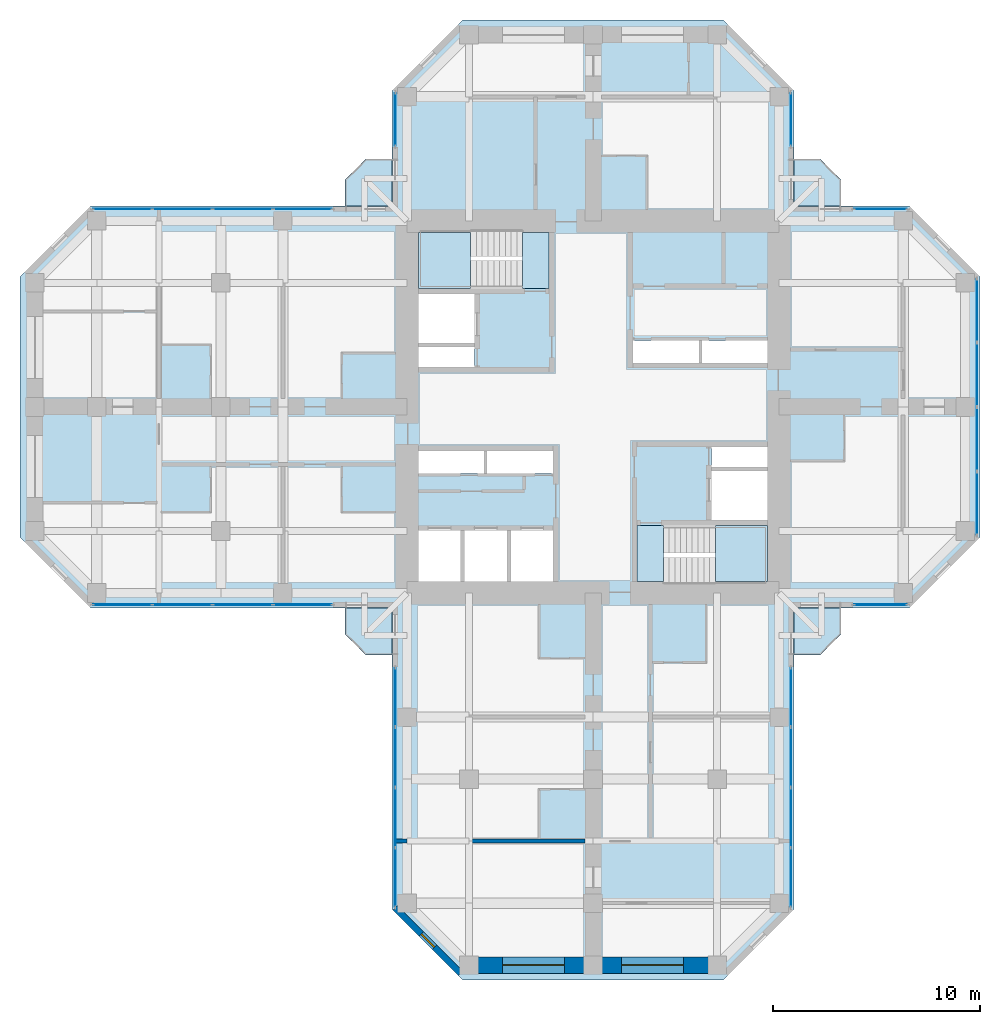
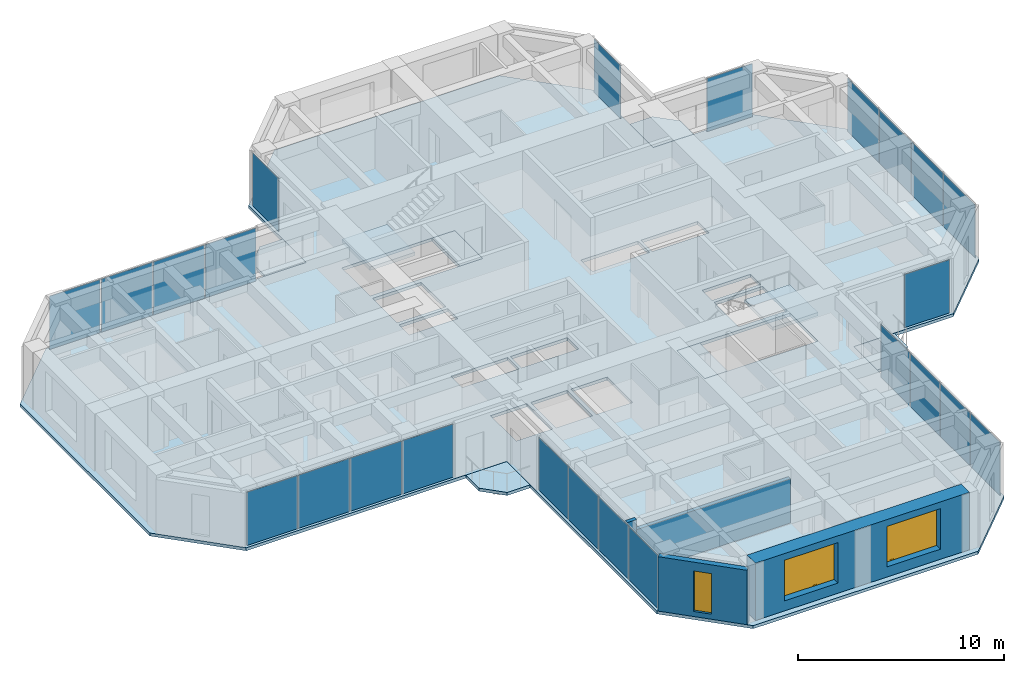
# One storey, part 7 of 13: 24 plates, 9 slabs, 4 walls, 3 windows, 3 openings, 11 elements without a shape of their own.
"""IFC4 building model written with IfcOpenShell, lengths in metres."""

from ifc_helpers import new_model, si_unit, direction, frame, frame_2d, origin, origin_2d, place, context, subcontext, project, spatial, polyline, rectangle, hollow_rectangle, outline, extrude, material, layer, layer_set, constituent, constituent_set, type_object, element, fill, aggregate, save


model = new_model("IFC4")

# Units and contexts
model_context = context("Model", 3, precision=1e-05, world=origin(), true_north=direction((0.0, 1.0)))
body_context = subcontext(model_context, "Body", "Model", "MODEL_VIEW")
ifc_project = project(units=[si_unit("LENGTHUNIT", "METRE"), si_unit("AREAUNIT", "SQUARE_METRE"), si_unit("VOLUMEUNIT", "CUBIC_METRE"), si_unit("PLANEANGLEUNIT", "RADIAN"), si_unit("MASSUNIT", "GRAM", prefix="KILO")], contexts=[model_context])

# Site, building, storey
site_placement = place(None, origin())
site = spatial("IfcSite", under=ifc_project, at=site_placement, CompositionType="ELEMENT")
building_placement = place(site_placement, origin())
building = spatial("IfcBuilding", under=site, at=building_placement, Name="Torre Cruceta", CompositionType="ELEMENT")
storey_placement = place(building_placement, frame((0.0, 0.0, 193.300048828125)))
storey = spatial("IfcBuildingStorey", under=building, at=storey_placement, Name="L48", CompositionType="ELEMENT", Elevation=193.300048828125)

# Slabs
ifc_material_1 = material(Name="Concrete G35 (fck 35 MPa)", Category="concrete")
ifc_layer_1 = layer(ifc_material_1, 0.179931640625)
ifc_layer_set_1 = layer_set([ifc_layer_1], Name="Concrete G35 (fck 35 MPa)")
slab_type_1 = type_object("IfcSlabType", Name="BALCONY SLAB 180", PredefinedType="USERDEFINED", material=ifc_layer_set_1)
slab_1_placement = place(storey_placement, frame((0.0, 0.0, -0.179931640625)))
element("IfcSlab", 1, at=slab_1_placement, inside=storey, type_object=slab_type_1, Name="Balcony slab L48 N", ObjectType="BALCONY", PredefinedType="USERDEFINED", context=body_context, shape_type="SweptSolid", body=[
    extrude(outline(polyline([(-12.0, 11.0), (-11.0, 12.0), (-9.719970703125, 12.0), (-9.719970703125, 9.719970703125), (-12.0, 9.719970703125), (-12.0, 11.0)])), origin(), (0.0, 0.0, 1.0), 0.179931640625),
])
slab_2_placement = place(storey_placement, frame((0.0, 0.0, -0.179931640625)))
element("IfcSlab", 2, at=slab_2_placement, inside=storey, type_object=slab_type_1, Name="Balcony slab L48 E", ObjectType="BALCONY", PredefinedType="USERDEFINED", context=body_context, shape_type="SweptSolid", body=[
    extrude(outline(polyline([(11.0, 12.0), (12.0, 11.0), (12.0, 9.719970703125), (9.719970703125, 9.719970703125), (9.719970703125, 12.0), (11.0, 12.0)])), origin(), (0.0, 0.0, 1.0), 0.179931640625),
])
slab_3_placement = place(storey_placement, frame((0.0, 0.0, -0.179931640625)))
element("IfcSlab", 3, at=slab_3_placement, inside=storey, type_object=slab_type_1, Name="Balcony slab L48 S", ObjectType="BALCONY", PredefinedType="USERDEFINED", context=body_context, shape_type="SweptSolid", body=[
    extrude(outline(polyline([(12.0, -11.0), (11.0, -12.0), (9.719970703125, -12.0), (9.719970703125, -9.719970703125), (12.0, -9.719970703125), (12.0, -11.0)])), origin(), (0.0, 0.0, 1.0), 0.179931640625),
])
slab_4_placement = place(storey_placement, frame((0.0, 0.0, -0.179931640625)))
element("IfcSlab", 4, at=slab_4_placement, inside=storey, type_object=slab_type_1, Name="Balcony slab L48 W", ObjectType="BALCONY", PredefinedType="USERDEFINED", context=body_context, shape_type="SweptSolid", body=[
    extrude(outline(polyline([(-11.0, -12.0), (-12.0, -11.0), (-12.0, -9.719970703125), (-9.719970703125, -9.719970703125), (-9.719970703125, -12.0), (-11.0, -12.0)])), origin(), (0.0, 0.0, 1.0), 0.179931640625),
])

# Curtain wall, plate
ifc_material_2 = material(Name="Aluminium unitised curtain wall", Category="aluminium")
curtain_wall_type = type_object("IfcCurtainWallType", Name="CURTAIN WALL CW-C CO-LIVING", PredefinedType="USERDEFINED", material=ifc_material_2)
curtain_wall_1_placement = place(storey_placement, origin())
curtain_wall_1 = element("IfcCurtainWall", 5, at=curtain_wall_1_placement, inside=storey, type_object=curtain_wall_type, Name="CW-C L48 E tip 02", ObjectType="UNITISED", PredefinedType="USERDEFINED")
ifc_material_3 = material(Name="Laminated insulating glass unit, low-iron clear", Category="glass")
ifc_material_4 = material(Name="Laminated insulating glass unit, diagonal frit 50 %", Category="glass")
ifc_layer_2 = layer(ifc_material_4, 0.030029296875)
ifc_layer_set_2 = layer_set([ifc_layer_2], Name="Laminated insulating glass unit, diagonal frit 50 %")
plate_type_1 = type_object("IfcPlateType", Name="CW-C OPERABLE VENT PANEL 30", PredefinedType="CURTAIN_PANEL", material=ifc_layer_set_2)
plate_1_placement = place(storey_placement, frame((18.570068359375, -1.55908203125, 0.010009765625), z_axis=(0.0, 0.0, 1.0), x_axis=(0.0, 1.0, 0.0)))
plate_1 = element("IfcPlate", 6, at=plate_1_placement, type_object=plate_type_1, material=ifc_material_3, Name="CW-C vent 2", PredefinedType="CURTAIN_PANEL", context=body_context, shape_type="SweptSolid", body=[
    extrude(rectangle(XDim=3.05810546875, YDim=0.030029296875, at=origin_2d()), origin(), (0.0, 0.0, 1.0), 3.14990234375),
])

curtain_wall_2_placement = place(storey_placement, origin())
curtain_wall_2 = element("IfcCurtainWall", 7, at=curtain_wall_2_placement, inside=storey, type_object=curtain_wall_type, Name="CW-C L48 W side 10", ObjectType="UNITISED", PredefinedType="USERDEFINED")
plate_2_placement = place(storey_placement, frame((-16.94482421875, 9.570068359375, 0.010009765625), z_axis=(0.0, 0.0, 1.0), x_axis=(-1.0, 0.0, 0.0)))
plate_2 = element("IfcPlate", 8, at=plate_2_placement, type_object=plate_type_1, material=ifc_material_3, Name="CW-C vent 2", PredefinedType="CURTAIN_PANEL", context=body_context, shape_type="SweptSolid", body=[
    extrude(rectangle(XDim=2.8564453125, YDim=0.030029296875, at=origin_2d()), origin(), (0.0, 0.0, 1.0), 3.14990234375),
])

curtain_wall_3_placement = place(storey_placement, origin())
curtain_wall_3 = element("IfcCurtainWall", 9, at=curtain_wall_3_placement, inside=storey, type_object=curtain_wall_type, Name="CW-C L48 W side 14", ObjectType="UNITISED", PredefinedType="USERDEFINED")
plate_3_placement = place(storey_placement, frame((-19.861328125, -9.570068359375, 0.010009765625), z_axis=(0.0, 0.0, 1.0), x_axis=(1.0, 0.0, 0.0)))
plate_3 = element("IfcPlate", 10, at=plate_3_placement, type_object=plate_type_1, material=ifc_material_3, Name="CW-C vent 2", PredefinedType="CURTAIN_PANEL", context=body_context, shape_type="SweptSolid", body=[
    extrude(rectangle(XDim=2.8564453125, YDim=0.030029296875, at=origin_2d()), origin(), (0.0, 0.0, 1.0), 3.14990234375),
])

curtain_wall_4_placement = place(storey_placement, origin())
curtain_wall_4 = element("IfcCurtainWall", 11, at=curtain_wall_4_placement, inside=storey, type_object=curtain_wall_type, Name="CW-C L48 S side 15", ObjectType="UNITISED", PredefinedType="USERDEFINED")
plate_4_placement = place(storey_placement, frame((-9.570068359375, -16.94482421875, 0.010009765625), z_axis=(0.0, 0.0, 1.0), x_axis=(0.0, -1.0, 0.0)))
plate_4 = element("IfcPlate", 12, at=plate_4_placement, type_object=plate_type_1, material=ifc_material_3, Name="CW-C vent 2", PredefinedType="CURTAIN_PANEL", context=body_context, shape_type="SweptSolid", body=[
    extrude(rectangle(XDim=2.8564453125, YDim=0.030029296875, at=origin_2d()), origin(), (0.0, 0.0, 1.0), 3.14990234375),
])

curtain_wall_5_placement = place(storey_placement, origin())
curtain_wall_5 = element("IfcCurtainWall", 13, at=curtain_wall_5_placement, inside=storey, type_object=curtain_wall_type, Name="CW-C L48 S side 19", ObjectType="UNITISED", PredefinedType="USERDEFINED")
plate_5_placement = place(storey_placement, frame((9.570068359375, -19.861328125, 0.010009765625), z_axis=(0.0, 0.0, 1.0), x_axis=(0.0, 1.0, 0.0)))
plate_5 = element("IfcPlate", 14, at=plate_5_placement, type_object=plate_type_1, material=ifc_material_3, Name="CW-C vent 2", PredefinedType="CURTAIN_PANEL", context=body_context, shape_type="SweptSolid", body=[
    extrude(rectangle(XDim=2.8564453125, YDim=0.030029296875, at=origin_2d()), origin(), (0.0, 0.0, 1.0), 3.14990234375),
])

curtain_wall_6_placement = place(storey_placement, origin())
curtain_wall_6 = element("IfcCurtainWall", 15, at=curtain_wall_6_placement, inside=storey, type_object=curtain_wall_type, Name="CW-C L48 E side 00", ObjectType="UNITISED", PredefinedType="USERDEFINED")
ifc_material_5 = material(Name="Laminated insulating glass unit, diagonal frit 50 %", Category="glass")
ifc_layer_3 = layer(ifc_material_5, 0.030029296875)
ifc_layer_set_3 = layer_set([ifc_layer_3], Name="Laminated insulating glass unit, diagonal frit 50 %")
plate_type_2 = type_object("IfcPlateType", Name="CW-C PANEL 30", PredefinedType="CURTAIN_PANEL", material=ifc_layer_set_3)
plate_6_placement = place(storey_placement, frame((13.903076171875, -9.570068359375, 0.010009765625), z_axis=(0.0, 0.0, 1.0), x_axis=(1.0, 0.0, 0.0)))
plate_6 = element("IfcPlate", 16, at=plate_6_placement, type_object=plate_type_2, material=ifc_material_3, Name="CW-C panel 1", PredefinedType="CURTAIN_PANEL", context=body_context, shape_type="SweptSolid", body=[
    extrude(rectangle(XDim=2.546142578125, YDim=0.030029296875, at=origin_2d()), origin(), (0.0, 0.0, 1.0), 3.14990234375),
])
aggregate(curtain_wall_6, [plate_6])

# Plate
plate_7_placement = place(storey_placement, frame((18.570068359375, -4.662109375, 0.010009765625), z_axis=(0.0, 0.0, 1.0), x_axis=(0.0, 1.0, 0.0)))
plate_7 = element("IfcPlate", 17, at=plate_7_placement, type_object=plate_type_2, material=ifc_material_3, Name="CW-C panel 1", PredefinedType="CURTAIN_PANEL", context=body_context, shape_type="SweptSolid", body=[
    extrude(rectangle(XDim=3.028076171875, YDim=0.030029296875, at=origin_2d()), origin(), (0.0, 0.0, 1.0), 3.14990234375),
])

ifc_material_6 = material(Name="Laminated insulating glass unit, diagonal frit 50 %", Category="glass")
plate_8_placement = place(storey_placement, frame((18.570068359375, 1.55908203125, 0.010009765625), z_axis=(0.0, 0.0, 1.0), x_axis=(0.0, 1.0, 0.0)))
plate_8 = element("IfcPlate", 18, at=plate_8_placement, type_object=plate_type_2, material=ifc_material_6, Name="CW-C panel 3", PredefinedType="CURTAIN_PANEL", context=body_context, shape_type="SweptSolid", body=[
    extrude(rectangle(XDim=3.05810546875, YDim=0.030029296875, at=origin_2d()), origin(), (0.0, 0.0, 1.0), 3.14990234375),
])

plate_9_placement = place(storey_placement, frame((18.570068359375, 4.662109375, 0.010009765625), z_axis=(0.0, 0.0, 1.0), x_axis=(0.0, 1.0, 0.0)))
plate_9 = element("IfcPlate", 19, at=plate_9_placement, type_object=plate_type_2, material=ifc_material_6, Name="CW-C panel 4", PredefinedType="CURTAIN_PANEL", context=body_context, shape_type="SweptSolid", body=[
    extrude(rectangle(XDim=3.028076171875, YDim=0.030029296875, at=origin_2d()), origin(), (0.0, 0.0, 1.0), 3.14990234375),
])

aggregate(curtain_wall_1, [plate_7, plate_1, plate_8, plate_9])

# Curtain wall, plate
curtain_wall_7_placement = place(storey_placement, origin())
curtain_wall_7 = element("IfcCurtainWall", 20, at=curtain_wall_7_placement, inside=storey, type_object=curtain_wall_type, Name="CW-C L48 E side 04", ObjectType="UNITISED", PredefinedType="USERDEFINED")
plate_10_placement = place(storey_placement, frame((13.903076171875, 9.570068359375, 0.010009765625), z_axis=(0.0, 0.0, 1.0), x_axis=(-1.0, 0.0, 0.0)))
plate_10 = element("IfcPlate", 21, at=plate_10_placement, type_object=plate_type_2, material=ifc_material_3, Name="CW-C panel 1", PredefinedType="CURTAIN_PANEL", context=body_context, shape_type="SweptSolid", body=[
    extrude(rectangle(XDim=2.546142578125, YDim=0.030029296875, at=origin_2d()), origin(), (0.0, 0.0, 1.0), 3.14990234375),
])
aggregate(curtain_wall_7, [plate_10])

curtain_wall_8_placement = place(storey_placement, origin())
curtain_wall_8 = element("IfcCurtainWall", 22, at=curtain_wall_8_placement, inside=storey, type_object=curtain_wall_type, Name="CW-C L48 N side 05", ObjectType="UNITISED", PredefinedType="USERDEFINED")
plate_11_placement = place(storey_placement, frame((9.570068359375, 13.903076171875, 0.010009765625), z_axis=(0.0, 0.0, 1.0), x_axis=(0.0, 1.0, 0.0)))
plate_11 = element("IfcPlate", 23, at=plate_11_placement, type_object=plate_type_2, material=ifc_material_3, Name="CW-C panel 1", PredefinedType="CURTAIN_PANEL", context=body_context, shape_type="SweptSolid", body=[
    extrude(rectangle(XDim=2.546142578125, YDim=0.030029296875, at=origin_2d()), origin(), (0.0, 0.0, 1.0), 3.14990234375),
])
aggregate(curtain_wall_8, [plate_11])

curtain_wall_9_placement = place(storey_placement, origin())
curtain_wall_9 = element("IfcCurtainWall", 24, at=curtain_wall_9_placement, inside=storey, type_object=curtain_wall_type, Name="CW-C L48 N side 09", ObjectType="UNITISED", PredefinedType="USERDEFINED")
plate_12_placement = place(storey_placement, frame((-9.570068359375, 13.903076171875, 0.010009765625), z_axis=(0.0, 0.0, 1.0), x_axis=(0.0, -1.0, 0.0)))
plate_12 = element("IfcPlate", 25, at=plate_12_placement, type_object=plate_type_2, material=ifc_material_3, Name="CW-C panel 1", PredefinedType="CURTAIN_PANEL", context=body_context, shape_type="SweptSolid", body=[
    extrude(rectangle(XDim=2.546142578125, YDim=0.030029296875, at=origin_2d()), origin(), (0.0, 0.0, 1.0), 3.14990234375),
])
aggregate(curtain_wall_9, [plate_12])

# Plate
plate_13_placement = place(storey_placement, frame((-14.043212890625, 9.570068359375, 0.010009765625), z_axis=(0.0, 0.0, 1.0), x_axis=(-1.0, 0.0, 0.0)))
plate_13 = element("IfcPlate", 26, at=plate_13_placement, type_object=plate_type_2, material=ifc_material_3, Name="CW-C panel 1", PredefinedType="CURTAIN_PANEL", context=body_context, shape_type="SweptSolid", body=[
    extrude(rectangle(XDim=2.826416015625, YDim=0.030029296875, at=origin_2d()), origin(), (0.0, 0.0, 1.0), 3.14990234375),
])

plate_14_placement = place(storey_placement, frame((-19.861328125, 9.570068359375, 0.010009765625), z_axis=(0.0, 0.0, 1.0), x_axis=(-1.0, 0.0, 0.0)))
plate_14 = element("IfcPlate", 27, at=plate_14_placement, type_object=plate_type_2, material=ifc_material_6, Name="CW-C panel 3", PredefinedType="CURTAIN_PANEL", context=body_context, shape_type="SweptSolid", body=[
    extrude(rectangle(XDim=2.8564453125, YDim=0.030029296875, at=origin_2d()), origin(), (0.0, 0.0, 1.0), 3.14990234375),
])

plate_15_placement = place(storey_placement, frame((-22.762939453125, 9.570068359375, 0.010009765625), z_axis=(0.0, 0.0, 1.0), x_axis=(-1.0, 0.0, 0.0)))
plate_15 = element("IfcPlate", 28, at=plate_15_placement, type_object=plate_type_2, material=ifc_material_6, Name="CW-C panel 4", PredefinedType="CURTAIN_PANEL", context=body_context, shape_type="SweptSolid", body=[
    extrude(rectangle(XDim=2.826416015625, YDim=0.030029296875, at=origin_2d()), origin(), (0.0, 0.0, 1.0), 3.14990234375),
])

aggregate(curtain_wall_2, [plate_13, plate_2, plate_14, plate_15])

plate_16_placement = place(storey_placement, frame((-22.762939453125, -9.570068359375, 0.010009765625), z_axis=(0.0, 0.0, 1.0), x_axis=(1.0, 0.0, 0.0)))
plate_16 = element("IfcPlate", 29, at=plate_16_placement, type_object=plate_type_2, material=ifc_material_3, Name="CW-C panel 1", PredefinedType="CURTAIN_PANEL", context=body_context, shape_type="SweptSolid", body=[
    extrude(rectangle(XDim=2.826416015625, YDim=0.030029296875, at=origin_2d()), origin(), (0.0, 0.0, 1.0), 3.14990234375),
])

plate_17_placement = place(storey_placement, frame((-16.94482421875, -9.570068359375, 0.010009765625), z_axis=(0.0, 0.0, 1.0), x_axis=(1.0, 0.0, 0.0)))
plate_17 = element("IfcPlate", 30, at=plate_17_placement, type_object=plate_type_2, material=ifc_material_6, Name="CW-C panel 3", PredefinedType="CURTAIN_PANEL", context=body_context, shape_type="SweptSolid", body=[
    extrude(rectangle(XDim=2.8564453125, YDim=0.030029296875, at=origin_2d()), origin(), (0.0, 0.0, 1.0), 3.14990234375),
])

plate_18_placement = place(storey_placement, frame((-14.043212890625, -9.570068359375, 0.010009765625), z_axis=(0.0, 0.0, 1.0), x_axis=(1.0, 0.0, 0.0)))
plate_18 = element("IfcPlate", 31, at=plate_18_placement, type_object=plate_type_2, material=ifc_material_6, Name="CW-C panel 4", PredefinedType="CURTAIN_PANEL", context=body_context, shape_type="SweptSolid", body=[
    extrude(rectangle(XDim=2.826416015625, YDim=0.030029296875, at=origin_2d()), origin(), (0.0, 0.0, 1.0), 3.14990234375),
])

aggregate(curtain_wall_3, [plate_16, plate_3, plate_17, plate_18])

plate_19_placement = place(storey_placement, frame((-9.570068359375, -14.043212890625, 0.010009765625), z_axis=(0.0, 0.0, 1.0), x_axis=(0.0, -1.0, 0.0)))
plate_19 = element("IfcPlate", 32, at=plate_19_placement, type_object=plate_type_2, material=ifc_material_3, Name="CW-C panel 1", PredefinedType="CURTAIN_PANEL", context=body_context, shape_type="SweptSolid", body=[
    extrude(rectangle(XDim=2.826416015625, YDim=0.030029296875, at=origin_2d()), origin(), (0.0, 0.0, 1.0), 3.14990234375),
])

plate_20_placement = place(storey_placement, frame((-9.570068359375, -19.861328125, 0.010009765625), z_axis=(0.0, 0.0, 1.0), x_axis=(0.0, -1.0, 0.0)))
plate_20 = element("IfcPlate", 33, at=plate_20_placement, type_object=plate_type_2, material=ifc_material_6, Name="CW-C panel 3", PredefinedType="CURTAIN_PANEL", context=body_context, shape_type="SweptSolid", body=[
    extrude(rectangle(XDim=2.8564453125, YDim=0.030029296875, at=origin_2d()), origin(), (0.0, 0.0, 1.0), 3.14990234375),
])

plate_21_placement = place(storey_placement, frame((-9.570068359375, -22.762939453125, 0.010009765625), z_axis=(0.0, 0.0, 1.0), x_axis=(0.0, -1.0, 0.0)))
plate_21 = element("IfcPlate", 34, at=plate_21_placement, type_object=plate_type_2, material=ifc_material_6, Name="CW-C panel 4", PredefinedType="CURTAIN_PANEL", context=body_context, shape_type="SweptSolid", body=[
    extrude(rectangle(XDim=2.826416015625, YDim=0.030029296875, at=origin_2d()), origin(), (0.0, 0.0, 1.0), 3.14990234375),
])

aggregate(curtain_wall_4, [plate_19, plate_4, plate_20, plate_21])

plate_22_placement = place(storey_placement, frame((9.570068359375, -22.762939453125, 0.010009765625), z_axis=(0.0, 0.0, 1.0), x_axis=(0.0, 1.0, 0.0)))
plate_22 = element("IfcPlate", 35, at=plate_22_placement, type_object=plate_type_2, material=ifc_material_3, Name="CW-C panel 1", PredefinedType="CURTAIN_PANEL", context=body_context, shape_type="SweptSolid", body=[
    extrude(rectangle(XDim=2.826416015625, YDim=0.030029296875, at=origin_2d()), origin(), (0.0, 0.0, 1.0), 3.14990234375),
])

plate_23_placement = place(storey_placement, frame((9.570068359375, -16.94482421875, 0.010009765625), z_axis=(0.0, 0.0, 1.0), x_axis=(0.0, 1.0, 0.0)))
plate_23 = element("IfcPlate", 36, at=plate_23_placement, type_object=plate_type_2, material=ifc_material_6, Name="CW-C panel 3", PredefinedType="CURTAIN_PANEL", context=body_context, shape_type="SweptSolid", body=[
    extrude(rectangle(XDim=2.8564453125, YDim=0.030029296875, at=origin_2d()), origin(), (0.0, 0.0, 1.0), 3.14990234375),
])

plate_24_placement = place(storey_placement, frame((9.570068359375, -14.043212890625, 0.010009765625), z_axis=(0.0, 0.0, 1.0), x_axis=(0.0, 1.0, 0.0)))
plate_24 = element("IfcPlate", 37, at=plate_24_placement, type_object=plate_type_2, material=ifc_material_6, Name="CW-C panel 4", PredefinedType="CURTAIN_PANEL", context=body_context, shape_type="SweptSolid", body=[
    extrude(rectangle(XDim=2.826416015625, YDim=0.030029296875, at=origin_2d()), origin(), (0.0, 0.0, 1.0), 3.14990234375),
])

aggregate(curtain_wall_5, [plate_22, plate_5, plate_23, plate_24])

# Slab
ifc_material_7 = material(Name="Concrete G35 (fck 35 MPa)", Category="concrete")
ifc_layer_4 = layer(ifc_material_7, 0.179931640625)
ifc_layer_set_4 = layer_set([ifc_layer_4], Name="Concrete G35 (fck 35 MPa)")
slab_type_2 = type_object("IfcSlabType", Name="FLOOR SLAB 180", PredefinedType="FLOOR", material=ifc_layer_set_4)
slab_5_placement = place(storey_placement, frame((0.0, 0.0, -0.179931640625)))
element("IfcSlab", 38, at=slab_5_placement, inside=storey, type_object=slab_type_2, Name="Floor Slab L48", PredefinedType="FLOOR", context=body_context, shape_type="SweptSolid", body=[
    extrude(outline(polyline([(9.719970703125, -9.719970703125), (9.719970703125, -24.29833984375), (6.29833984375, -27.719970703125), (-6.29833984375, -27.719970703125), (-9.719970703125, -24.29833984375), (-9.719970703125, -9.719970703125), (-24.29833984375, -9.719970703125), (-27.719970703125, -6.29833984375), (-27.719970703125, 6.29833984375), (-24.29833984375, 9.719970703125), (-9.719970703125, 9.719970703125), (-9.719970703125, 15.29833984375), (-6.29833984375, 18.719970703125), (6.29833984375, 18.719970703125), (9.719970703125, 15.29833984375), (9.719970703125, 9.719970703125), (15.29833984375, 9.719970703125), (18.719970703125, 6.29833984375), (18.719970703125, -6.29833984375), (15.29833984375, -9.719970703125), (9.719970703125, -9.719970703125)]), holes=[polyline([(1.925048828125, 2.125), (5.125, 2.125), (5.125, 3.22509765625), (1.925048828125, 3.22509765625), (1.925048828125, 2.125)]), polyline([(5.27490234375, 2.125), (8.449951171875, 2.125), (8.449951171875, 3.22509765625), (5.27490234375, 3.22509765625), (5.27490234375, 2.125)]), polyline([(-8.449951171875, 3.10009765625), (-5.72509765625, 3.10009765625), (-5.72509765625, 5.47509765625), (-8.449951171875, 5.47509765625), (-8.449951171875, 3.10009765625)]), polyline([(-8.449951171875, 1.925048828125), (-5.72509765625, 1.925048828125), (-5.72509765625, 2.89990234375), (-8.449951171875, 2.89990234375), (-8.449951171875, 1.925048828125)]), polyline([(-3.966552734375, -8.449951171875), (-1.925048828125, -8.449951171875), (-1.925048828125, -5.97509765625), (-3.966552734375, -5.97509765625), (-3.966552734375, -8.449951171875)]), polyline([(-6.208251953125, -8.449951171875), (-4.166748046875, -8.449951171875), (-4.166748046875, -5.97509765625), (-6.208251953125, -5.97509765625), (-6.208251953125, -8.449951171875)]), polyline([(-8.449951171875, -8.449951171875), (-6.408447265625, -8.449951171875), (-6.408447265625, -5.97509765625), (-8.449951171875, -5.97509765625), (-8.449951171875, -8.449951171875)]), polyline([(-5.125, -3.22509765625), (-1.925048828125, -3.22509765625), (-1.925048828125, -2.125), (-5.125, -2.125), (-5.125, -3.22509765625)]), polyline([(-8.449951171875, -3.22509765625), (-5.27490234375, -3.22509765625), (-5.27490234375, -2.125), (-8.449951171875, -2.125), (-8.449951171875, -3.22509765625)]), polyline([(5.72509765625, -5.47509765625), (8.449951171875, -5.47509765625), (8.449951171875, -3.10009765625), (5.72509765625, -3.10009765625), (5.72509765625, -5.47509765625)]), polyline([(5.72509765625, -2.89990234375), (8.449951171875, -2.89990234375), (8.449951171875, -1.925048828125), (5.72509765625, -1.925048828125), (5.72509765625, -2.89990234375)]), polyline([(-8.449951171875, 5.72509765625), (-8.449951171875, 8.449951171875), (-3.39990234375, 8.449951171875), (-2.125, 8.449951171875), (-2.125, 5.72509765625), (-3.39990234375, 5.72509765625), (-8.449951171875, 5.72509765625)]), polyline([(2.125, -5.72509765625), (3.39990234375, -5.72509765625), (8.449951171875, -5.72509765625), (8.449951171875, -8.449951171875), (3.39990234375, -8.449951171875), (2.125, -8.449951171875), (2.125, -5.72509765625)])]), origin(), (0.0, 0.0, 1.0), 0.179931640625),
])

# Stair, slab
ifc_material_8 = material(Name="Concrete G30 (fck 30 MPa)", Category="concrete")
stair_type = type_object("IfcStairType", Name="STAIR HALF-TURN 1300", PredefinedType="HALF_TURN_STAIR", material=ifc_material_8)
stair_1_placement = place(storey_placement, origin())
stair_1 = element("IfcStair", 39, at=stair_1_placement, inside=storey, type_object=stair_type, Name="Stair ST1 L48", PredefinedType="HALF_TURN_STAIR")
ifc_material_9 = material(Name="Concrete G30 (fck 30 MPa)", Category="concrete")
ifc_layer_5 = layer(ifc_material_9, 0.199951171875)
ifc_layer_set_5 = layer_set([ifc_layer_5], Name="Concrete G30 (fck 30 MPa)")
slab_type_3 = type_object("IfcSlabType", Name="STAIR LANDING 200", PredefinedType="LANDING", material=ifc_layer_set_5)
slab_6_placement = place(storey_placement, frame((0.0, 0.0, 1.5)))
slab_6 = element("IfcSlab", 40, at=slab_6_placement, type_object=slab_type_3, Name="ST1 landing 1", PredefinedType="LANDING", context=body_context, shape_type="SweptSolid", body=[
    extrude(outline(polyline([(-8.449951171875, 5.72509765625), (-5.919921875, 5.72509765625), (-5.919921875, 8.449951171875), (-8.449951171875, 8.449951171875), (-8.449951171875, 5.72509765625)])), origin(), (0.0, 0.0, 1.0), 0.199951171875),
])
aggregate(stair_1, [slab_6])

stair_2_placement = place(storey_placement, origin())
stair_2 = element("IfcStair", 41, at=stair_2_placement, inside=storey, type_object=stair_type, Name="Stair ST2 L48", PredefinedType="HALF_TURN_STAIR")
slab_7_placement = place(storey_placement, frame((0.0, 0.0, 1.5)))
slab_7 = element("IfcSlab", 42, at=slab_7_placement, type_object=slab_type_3, Name="ST2 landing 1", PredefinedType="LANDING", context=body_context, shape_type="SweptSolid", body=[
    extrude(outline(polyline([(5.919921875, -8.449951171875), (8.449951171875, -8.449951171875), (8.449951171875, -5.72509765625), (5.919921875, -5.72509765625), (5.919921875, -8.449951171875)])), origin(), (0.0, 0.0, 1.0), 0.199951171875),
])
aggregate(stair_2, [slab_7])

# Slabs
slab_8_placement = place(storey_placement, frame((0.0, 0.0, -0.199951171875)))
element("IfcSlab", 43, at=slab_8_placement, inside=storey, type_object=slab_type_3, Name="Stair ST1 floor landing L48", PredefinedType="LANDING", context=body_context, shape_type="SweptSolid", body=[
    extrude(outline(polyline([(-2.125, 8.449951171875), (-2.125, 5.72509765625), (-3.39990234375, 5.72509765625), (-3.39990234375, 8.449951171875), (-2.125, 8.449951171875)])), origin(), (0.0, 0.0, 1.0), 0.199951171875),
])
slab_9_placement = place(storey_placement, frame((0.0, 0.0, -0.199951171875)))
element("IfcSlab", 44, at=slab_9_placement, inside=storey, type_object=slab_type_3, Name="Stair ST2 floor landing L48", PredefinedType="LANDING", context=body_context, shape_type="SweptSolid", body=[
    extrude(outline(polyline([(2.125, -8.449951171875), (2.125, -5.72509765625), (3.39990234375, -5.72509765625), (3.39990234375, -8.449951171875), (2.125, -8.449951171875)])), origin(), (0.0, 0.0, 1.0), 0.199951171875),
])

# Wall, opening, window
ifc_material_10 = material(Name="Concrete G30 (fck 30 MPa)", Category="concrete")
ifc_layer_6 = layer(ifc_material_10, 0.300048828125)
ifc_layer_set_6 = layer_set([ifc_layer_6], Name="Concrete G30 (fck 30 MPa)")
wall_type_1 = type_object("IfcWallType", Name="EXPOSED CONCRETE FACADE WALL 300", PredefinedType="SOLIDWALL", material=ifc_layer_set_6)
wall_1_placement = place(storey_placement, frame((-9.570068359375, -24.236083984375, 0.0), z_axis=(0.0, 0.0, 1.0), x_axis=(0.707134062067, -0.707079499254, 0.0)))
wall_1 = element("IfcWall", 45, at=wall_1_placement, inside=storey, type_object=wall_type_1, Name="EW1 facade wall L48 S chamfer 16", PredefinedType="SOLIDWALL", context=body_context, shape_type="SweptSolid", body=[
    extrude(rectangle(XDim=4.474609375, YDim=0.300048828125, at=frame_2d((2.2373046875, 0.0))), origin(), (0.0, 0.0, 1.0), 3.219970703125),
])
opening_1_placement = place(wall_1_placement, frame((1.787109375, 0.0, 0.300048828125)))
opening_1 = element("IfcOpeningElement", 46, at=opening_1_placement, cuts=wall_1, Name="Opening WN5", PredefinedType="OPENING", context=body_context, shape_type="SweptSolid", body=[
    extrude(rectangle(XDim=0.89990234375, YDim=2.39990234375, at=frame_2d((0.449951171875, 1.199951171875))), frame((0.0, 0.159912109375, 0.0), z_axis=(0.0, -1.0, 0.0), x_axis=(1.0, 0.0, 0.0)), (0.0, 0.0, 1.0), 0.320068359375),
])
ifc_material_11 = material(Name="Aluminium window frame", Category="aluminium")
ifc_constituent_1 = constituent(ifc_material_11, Name="Frame")
ifc_material_12 = material(Name="Laminated insulating glass unit, low-iron clear", Category="glass")
ifc_constituent_2 = constituent(ifc_material_12, Name="Glazing")
ifc_constituent_set_1 = constituent_set(constituents=[ifc_constituent_1, ifc_constituent_2], Name="Aluminium window")
window_type_1 = type_object("IfcWindowType", Name="CHAMFER SLOT WINDOW 900X2400", PartitioningType="SINGLE_PANEL", PredefinedType="WINDOW", material=ifc_constituent_set_1)
window_1_placement = place(opening_1_placement, origin())
window_1 = element("IfcWindow", 47, at=window_1_placement, inside=storey, type_object=window_type_1, Name="WN5 L48 S 1", OverallHeight=2.39990234375, OverallWidth=0.89990234375, PartitioningType="SINGLE_PANEL", PredefinedType="WINDOW", context=body_context, shape_type="SweptSolid", body=[
    extrude(hollow_rectangle(XDim=0.89990234375, YDim=2.39990234375, WallThickness=0.06005859375, at=frame_2d((0.449951171875, 1.199951171875))), frame((0.0, 0.030029296875, 0.0), z_axis=(0.0, -1.0, 0.0), x_axis=(1.0, 0.0, 0.0)), (0.0, 0.0, 1.0), 0.06005859375),
    extrude(rectangle(XDim=0.77880859375, YDim=2.27880859375, at=frame_2d((0.449951171875, 1.199951171875))), frame((0.0, 0.030029296875, 0.0), z_axis=(0.0, -1.0, 0.0), x_axis=(1.0, 0.0, 0.0)), (0.0, 0.0, 1.0), 0.06005859375),
])
fill(opening_1, window_1)

# Wall, openings, windows
ifc_material_13 = material(Name="Concrete G60 (fck 60 MPa)", Category="concrete")
ifc_layer_7 = layer(ifc_material_13, 0.800048828125)
ifc_layer_set_7 = layer_set([ifc_layer_7], Name="Concrete G60 (fck 60 MPa)")
wall_type_2 = type_object("IfcWallType", Name="NOSE WALL 800 G60", PredefinedType="SHEAR", material=ifc_layer_set_7)
wall_2_placement = place(storey_placement, frame((-6.0, -27.0, 0.0), z_axis=(0.0, 0.0, 1.0), x_axis=(1.0, 0.0, 0.0)))
wall_2 = element("IfcWall", 48, at=wall_2_placement, inside=storey, type_object=wall_type_2, Name="NW2 nose wall L48 S", PredefinedType="SHEAR", context=body_context, shape_type="SweptSolid", body=[
    extrude(rectangle(XDim=12.0, YDim=0.800048828125, at=frame_2d((6.0, 0.0))), origin(), (0.0, 0.0, 1.0), 3.39990234375),
])
opening_2_placement = place(wall_2_placement, frame((1.625, 0.0, 0.60009765625)))
opening_2 = element("IfcOpeningElement", 49, at=opening_2_placement, cuts=wall_2, Name="Opening WN6", PredefinedType="OPENING", context=body_context, shape_type="SweptSolid", body=[
    extrude(rectangle(XDim=3.0, YDim=2.39990234375, at=frame_2d((1.5, 1.199951171875))), frame((0.0, 0.409912109375, 0.0), z_axis=(0.0, -1.0, 0.0), x_axis=(1.0, 0.0, 0.0)), (0.0, 0.0, 1.0), 0.820068359375),
])
opening_3_placement = place(wall_2_placement, frame((7.375, 0.0, 0.60009765625)))
opening_3 = element("IfcOpeningElement", 50, at=opening_3_placement, cuts=wall_2, Name="Opening WN6", PredefinedType="OPENING", context=body_context, shape_type="SweptSolid", body=[
    extrude(rectangle(XDim=3.0, YDim=2.39990234375, at=frame_2d((1.5, 1.199951171875))), frame((0.0, 0.409912109375, 0.0), z_axis=(0.0, -1.0, 0.0), x_axis=(1.0, 0.0, 0.0)), (0.0, 0.0, 1.0), 0.820068359375),
])
ifc_material_14 = material(Name="Aluminium window frame", Category="aluminium")
ifc_constituent_3 = constituent(ifc_material_14, Name="Frame")
ifc_material_15 = material(Name="Laminated insulating glass unit, low-iron clear", Category="glass")
ifc_constituent_4 = constituent(ifc_material_15, Name="Glazing")
ifc_constituent_set_2 = constituent_set(constituents=[ifc_constituent_3, ifc_constituent_4], Name="Aluminium window")
window_type_2 = type_object("IfcWindowType", Name="NOSE WALL WINDOW 3000X2400", PartitioningType="SINGLE_PANEL", PredefinedType="WINDOW", material=ifc_constituent_set_2)
window_2_placement = place(opening_2_placement, origin())
window_2 = element("IfcWindow", 51, at=window_2_placement, inside=storey, type_object=window_type_2, Name="WN6 L48 S 1", OverallHeight=2.39990234375, OverallWidth=3.0, PartitioningType="SINGLE_PANEL", PredefinedType="WINDOW", context=body_context, shape_type="SweptSolid", body=[
    extrude(hollow_rectangle(XDim=3.0, YDim=2.39990234375, WallThickness=0.06005859375, at=frame_2d((1.5, 1.199951171875))), frame((0.0, 0.030029296875, 0.0), z_axis=(0.0, -1.0, 0.0), x_axis=(1.0, 0.0, 0.0)), (0.0, 0.0, 1.0), 0.06005859375),
    extrude(rectangle(XDim=2.87890625, YDim=2.27880859375, at=frame_2d((1.5, 1.199951171875))), frame((0.0, 0.030029296875, 0.0), z_axis=(0.0, -1.0, 0.0), x_axis=(1.0, 0.0, 0.0)), (0.0, 0.0, 1.0), 0.06005859375),
])
fill(opening_2, window_2)
window_3_placement = place(opening_3_placement, origin())
window_3 = element("IfcWindow", 52, at=window_3_placement, inside=storey, type_object=window_type_2, Name="WN6 L48 S 2", OverallHeight=2.39990234375, OverallWidth=3.0, PartitioningType="SINGLE_PANEL", PredefinedType="WINDOW", context=body_context, shape_type="SweptSolid", body=[
    extrude(hollow_rectangle(XDim=3.0, YDim=2.39990234375, WallThickness=0.06005859375, at=frame_2d((1.5, 1.199951171875))), frame((0.0, 0.030029296875, 0.0), z_axis=(0.0, -1.0, 0.0), x_axis=(1.0, 0.0, 0.0)), (0.0, 0.0, 1.0), 0.06005859375),
    extrude(rectangle(XDim=2.87890625, YDim=2.27880859375, at=frame_2d((1.5, 1.199951171875))), frame((0.0, 0.030029296875, 0.0), z_axis=(0.0, -1.0, 0.0), x_axis=(1.0, 0.0, 0.0)), (0.0, 0.0, 1.0), 0.06005859375),
])
fill(opening_3, window_3)

# Walls
ifc_material_16 = material(Name="Concrete G25 (fck 25 MPa)", Category="concrete")
ifc_layer_8 = layer(ifc_material_16, 0.199951171875)
ifc_layer_set_8 = layer_set([ifc_layer_8], Name="Concrete G25 (fck 25 MPa)")
wall_type_3 = type_object("IfcWallType", Name="UNIT SEPARATING WALL 200", PredefinedType="SOLIDWALL", material=ifc_layer_set_8)
wall_3_placement = place(storey_placement, frame((-9.530029296875, -21.0, 0.0), z_axis=(0.0, 0.0, 1.0), x_axis=(1.0, 0.0, 0.0)))
element("IfcWall", 53, at=wall_3_placement, inside=storey, type_object=wall_type_3, Name="PT2 L48-S-ENDa", PredefinedType="SOLIDWALL", context=body_context, shape_type="SweptSolid", body=[
    extrude(rectangle(XDim=0.530029296875, YDim=0.199951171875, at=frame_2d((0.26513671875, 0.0))), origin(), (0.0, 0.0, 1.0), 3.219970703125),
])
wall_4_placement = place(storey_placement, frame((-9.0, -21.0, 0.0), z_axis=(0.0, 0.0, 1.0), x_axis=(1.0, 0.0, 0.0)))
element("IfcWall", 54, at=wall_4_placement, inside=storey, type_object=wall_type_3, Name="PT2 L48-S-ENDa 2", PredefinedType="SOLIDWALL", context=body_context, shape_type="SweptSolid", body=[
    extrude(rectangle(XDim=8.60009765625, YDim=0.199951171875, at=frame_2d((4.300048828125, 0.0))), origin(), (0.0, 0.0, 1.0), 2.619873046875),
])

save(model, "model.ifc")
